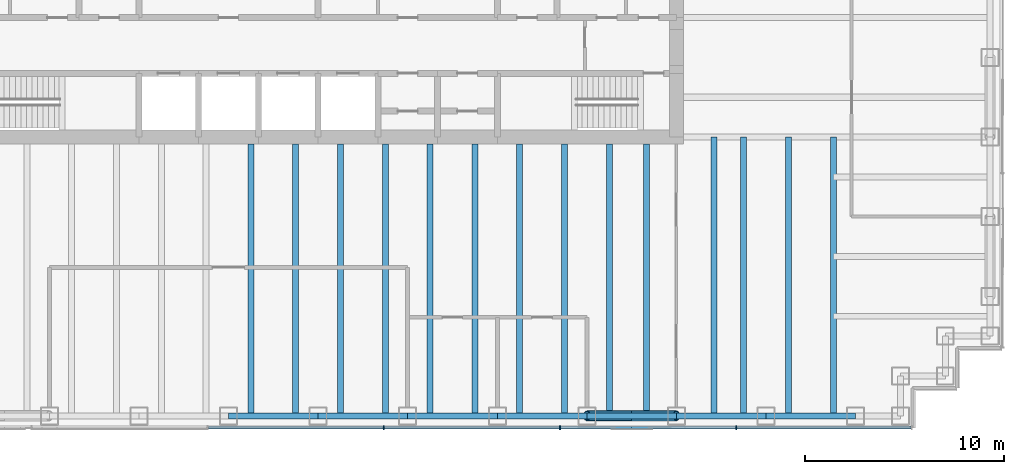
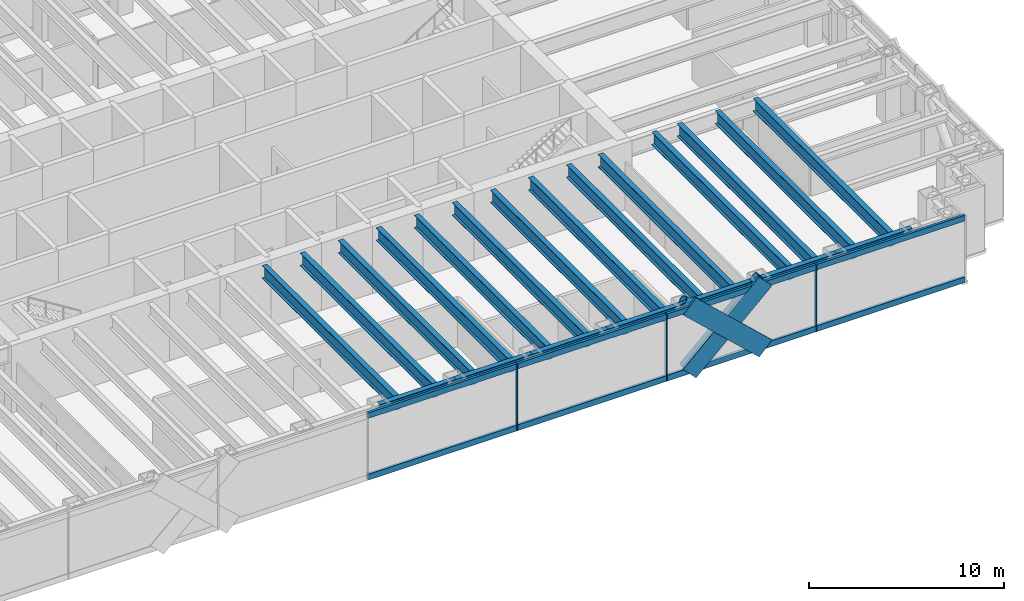
# One storey, part 4 of 17: 21 beams, 15 members, 1 element without a shape of its own.
"""IFC4 building model written with IfcOpenShell, lengths in metres."""

from ifc_helpers import new_model, si_unit, direction, frame, origin, origin_2d, place, context, subcontext, project, spatial, rectangle, hollow_circle, i_section, extrude, material, material_profile, profile_set, type_object, element, aggregate, save


model = new_model("IFC4")

# Units and contexts
model_context = context("Model", 3, precision=1e-05, world=origin(), true_north=direction((0.0, 1.0)))
body_context = subcontext(model_context, "Body", "Model", "MODEL_VIEW")
ifc_project = project(units=[si_unit("LENGTHUNIT", "METRE"), si_unit("AREAUNIT", "SQUARE_METRE"), si_unit("VOLUMEUNIT", "CUBIC_METRE"), si_unit("PLANEANGLEUNIT", "RADIAN"), si_unit("MASSUNIT", "GRAM", prefix="KILO")], contexts=[model_context])

# Site, building, storey
site_placement = place(None, origin())
site = spatial("IfcSite", under=ifc_project, at=site_placement, CompositionType="ELEMENT")
building_placement = place(site_placement, origin())
building = spatial("IfcBuilding", under=site, at=building_placement, Name="Rheinbord Bourse Tower", CompositionType="ELEMENT")
storey_placement = place(building_placement, frame((0.0, 0.0, 317.300048828125)))
storey = spatial("IfcBuildingStorey", under=building, at=storey_placement, Name="L72", CompositionType="ELEMENT", Elevation=317.300048828125)

# Curtain wall, members
ifc_material_1 = material(Name="Dark glass and black aluminium", Category="aluminium")
curtain_wall_type = type_object("IfcCurtainWallType", Name="CW3 DARK GLASS CURTAIN WALL", PredefinedType="USERDEFINED", material=ifc_material_1)
curtain_wall_placement = place(storey_placement, origin())
curtain_wall = element("IfcCurtainWall", 1, at=curtain_wall_placement, inside=storey, type_object=curtain_wall_type, Name="Curtain wall CW3 S L72", ObjectType="UNITISED CURTAIN WALL", PredefinedType="USERDEFINED")
ifc_material_2 = material(Name="Black anodised aluminium", Category="aluminium")
ifc_material_profile_1 = material_profile(ifc_material_2, rectangle(XDim=0.14990234375, YDim=1.10791015625, at=origin_2d()), Name="CW3 DIAGONAL MULLION 1108x150")
ifc_profile_set_1 = profile_set([ifc_material_profile_1], Name="Black anodised aluminium")
member_type_1 = type_object("IfcMemberType", Name="CW3 BLACK DIAGONAL MULLION", PredefinedType="USERDEFINED", material=ifc_profile_set_1)
member_1_placement = place(storey_placement, frame((54.0, 1.39990234375, 0.0), z_axis=(-0.73105922506, 0.0, 0.682314010889), x_axis=(0.0, -1.0, 0.0)))
member_1 = element("IfcMember", 2, at=member_1_placement, type_object=member_type_1, Name="CW3 diagonal mullion a", ObjectType="DIAGONAL MULLION", PredefinedType="USERDEFINED", context=body_context, shape_type="SweptSolid", body=[
    extrude(rectangle(XDim=0.14990234375, YDim=1.10791015625, at=origin_2d()), origin(), (0.0, 0.0, 1.0), 6.155517578125),
])
member_2_placement = place(storey_placement, frame((49.5, 1.39990234375, 0.0), z_axis=(0.73105922506, 0.0, 0.682314010889), x_axis=(0.0, 1.0, 0.0)))
member_2 = element("IfcMember", 3, at=member_2_placement, type_object=member_type_1, Name="CW3 diagonal mullion d", ObjectType="DIAGONAL MULLION", PredefinedType="USERDEFINED", context=body_context, shape_type="SweptSolid", body=[
    extrude(rectangle(XDim=0.14990234375, YDim=1.10791015625, at=origin_2d()), origin(), (0.0, 0.0, 1.0), 6.155517578125),
])
ifc_material_3 = material(Name="Black anodised aluminium", Category="aluminium")
ifc_material_profile_2 = material_profile(ifc_material_3, rectangle(XDim=0.199951171875, YDim=0.06494140625, at=origin_2d()), Name="CW3 MULLION 65x200")
ifc_profile_set_2 = profile_set([ifc_material_profile_2], Name="Black anodised aluminium")
member_type_2 = type_object("IfcMemberType", Name="CW3 BLACK MULLION", PredefinedType="MULLION", material=ifc_profile_set_2)
member_3_placement = place(storey_placement, frame((39.300048828125, 1.39990234375, 0.0), z_axis=(0.0, 0.0, 1.0), x_axis=(0.0, 1.0, 0.0)))
member_3 = element("IfcMember", 4, at=member_3_placement, type_object=member_type_2, Name="CW3 mullion 5", PredefinedType="MULLION", context=body_context, shape_type="SweptSolid", body=[
    extrude(rectangle(XDim=0.199951171875, YDim=0.06494140625, at=origin_2d()), origin(), (0.0, 0.0, 1.0), 4.199951171875),
])
member_4_placement = place(storey_placement, frame((48.14990234375, 1.39990234375, 0.0), z_axis=(0.0, 0.0, 1.0), x_axis=(0.0, 1.0, 0.0)))
member_4 = element("IfcMember", 5, at=member_4_placement, type_object=member_type_2, Name="CW3 mullion 6", PredefinedType="MULLION", context=body_context, shape_type="SweptSolid", body=[
    extrude(rectangle(XDim=0.199951171875, YDim=0.06494140625, at=origin_2d()), origin(), (0.0, 0.0, 1.0), 4.199951171875),
])
member_5_placement = place(storey_placement, frame((57.0, 1.39990234375, 0.0), z_axis=(0.0, 0.0, 1.0), x_axis=(0.0, 1.0, 0.0)))
member_5 = element("IfcMember", 6, at=member_5_placement, type_object=member_type_2, Name="CW3 mullion 7", PredefinedType="MULLION", context=body_context, shape_type="SweptSolid", body=[
    extrude(rectangle(XDim=0.199951171875, YDim=0.06494140625, at=origin_2d()), origin(), (0.0, 0.0, 1.0), 4.199951171875),
])
ifc_material_4 = material(Name="Black anodised aluminium", Category="aluminium")
ifc_material_profile_3 = material_profile(ifc_material_4, rectangle(XDim=0.14990234375, YDim=0.35009765625, at=origin_2d()), Name="CW3 TRANSOM 350x150")
ifc_profile_set_3 = profile_set([ifc_material_profile_3], Name="Black anodised aluminium")
member_type_3 = type_object("IfcMemberType", Name="CW3 BLACK TRANSOM", PredefinedType="USERDEFINED", material=ifc_profile_set_3)
member_6_placement = place(storey_placement, frame((30.482421875, 1.39990234375, 0.175048828125), z_axis=(1.0, 0.0, 0.0), x_axis=(0.0, 1.0, 0.0)))
member_6 = element("IfcMember", 7, at=member_6_placement, type_object=member_type_3, Name="CW3 transom 4.1", ObjectType="TRANSOM", PredefinedType="USERDEFINED", context=body_context, shape_type="SweptSolid", body=[
    extrude(rectangle(XDim=0.14990234375, YDim=0.35009765625, at=origin_2d()), origin(), (0.0, 0.0, 1.0), 8.78515625),
])
member_7_placement = place(storey_placement, frame((30.482421875, 1.39990234375, 4.02490234375), z_axis=(1.0, 0.0, 0.0), x_axis=(0.0, 1.0, 0.0)))
member_7 = element("IfcMember", 8, at=member_7_placement, type_object=member_type_3, Name="CW3 transom 4.2", ObjectType="TRANSOM", PredefinedType="USERDEFINED", context=body_context, shape_type="SweptSolid", body=[
    extrude(rectangle(XDim=0.14990234375, YDim=0.35009765625, at=origin_2d()), origin(), (0.0, 0.0, 1.0), 8.78515625),
])
member_8_placement = place(storey_placement, frame((39.33251953125, 1.39990234375, 0.175048828125), z_axis=(1.0, 0.0, 0.0), x_axis=(0.0, 1.0, 0.0)))
member_8 = element("IfcMember", 9, at=member_8_placement, type_object=member_type_3, Name="CW3 transom 5.1", ObjectType="TRANSOM", PredefinedType="USERDEFINED", context=body_context, shape_type="SweptSolid", body=[
    extrude(rectangle(XDim=0.14990234375, YDim=0.35009765625, at=origin_2d()), origin(), (0.0, 0.0, 1.0), 8.784912109375),
])
member_9_placement = place(storey_placement, frame((39.33251953125, 1.39990234375, 4.02490234375), z_axis=(1.0, 0.0, 0.0), x_axis=(0.0, 1.0, 0.0)))
member_9 = element("IfcMember", 10, at=member_9_placement, type_object=member_type_3, Name="CW3 transom 5.2", ObjectType="TRANSOM", PredefinedType="USERDEFINED", context=body_context, shape_type="SweptSolid", body=[
    extrude(rectangle(XDim=0.14990234375, YDim=0.35009765625, at=origin_2d()), origin(), (0.0, 0.0, 1.0), 8.784912109375),
])
member_10_placement = place(storey_placement, frame((48.1826171875, 1.39990234375, 0.175048828125), z_axis=(1.0, 0.0, 0.0), x_axis=(0.0, 1.0, 0.0)))
member_10 = element("IfcMember", 11, at=member_10_placement, type_object=member_type_3, Name="CW3 transom 6.1", ObjectType="TRANSOM", PredefinedType="USERDEFINED", context=body_context, shape_type="SweptSolid", body=[
    extrude(rectangle(XDim=0.14990234375, YDim=0.35009765625, at=origin_2d()), origin(), (0.0, 0.0, 1.0), 8.784912109375),
])
member_11_placement = place(storey_placement, frame((48.1826171875, 1.39990234375, 4.02490234375), z_axis=(1.0, 0.0, 0.0), x_axis=(0.0, 1.0, 0.0)))
member_11 = element("IfcMember", 12, at=member_11_placement, type_object=member_type_3, Name="CW3 transom 6.2", ObjectType="TRANSOM", PredefinedType="USERDEFINED", context=body_context, shape_type="SweptSolid", body=[
    extrude(rectangle(XDim=0.14990234375, YDim=0.35009765625, at=origin_2d()), origin(), (0.0, 0.0, 1.0), 8.784912109375),
])
member_12_placement = place(storey_placement, frame((57.032470703125, 1.39990234375, 0.175048828125), z_axis=(1.0, 0.0, 0.0), x_axis=(0.0, 1.0, 0.0)))
member_12 = element("IfcMember", 13, at=member_12_placement, type_object=member_type_3, Name="CW3 transom 7.1", ObjectType="TRANSOM", PredefinedType="USERDEFINED", context=body_context, shape_type="SweptSolid", body=[
    extrude(rectangle(XDim=0.14990234375, YDim=0.35009765625, at=origin_2d()), origin(), (0.0, 0.0, 1.0), 8.75244140625),
])
member_13_placement = place(storey_placement, frame((57.032470703125, 1.39990234375, 4.02490234375), z_axis=(1.0, 0.0, 0.0), x_axis=(0.0, 1.0, 0.0)))
member_13 = element("IfcMember", 14, at=member_13_placement, type_object=member_type_3, Name="CW3 transom 7.2", ObjectType="TRANSOM", PredefinedType="USERDEFINED", context=body_context, shape_type="SweptSolid", body=[
    extrude(rectangle(XDim=0.14990234375, YDim=0.35009765625, at=origin_2d()), origin(), (0.0, 0.0, 1.0), 8.75244140625),
])
aggregate(curtain_wall, [member_3, member_4, member_5, member_6, member_7, member_8, member_9, member_10, member_11, member_12, member_13, member_1, member_2])

# Beams
ifc_material_5 = material(Name="Steel S460", Category="steel")
ifc_material_profile_4 = material_profile(ifc_material_5, i_section(OverallWidth=0.300048828125, OverallDepth=0.800048828125, WebThickness=0.017578125, FlangeThickness=0.032958984375, at=origin_2d()), Name="HEB 800")
ifc_profile_set_4 = profile_set([ifc_material_profile_4], Name="Steel S460")
beam_type_1 = type_object("IfcBeamType", Name="FLOOR BEAM HEB 800", PredefinedType="BEAM", material=ifc_profile_set_4)
for number, where, z_axis, x_axis, name in (
    (15, (32.625, 2.0, 3.639892578125), (0.0, 1.0, 0.0), (-1.0, 0.0, 0.0), "Floor beam S-31.5a L73"),
    (16, (34.875, 2.0, 3.639892578125), (0.0, 1.0, 0.0), (-1.0, 0.0, 0.0), "Floor beam S-31.5b L73"),
    (17, (37.125, 2.0, 3.639892578125), (0.0, 1.0, 0.0), (-1.0, 0.0, 0.0), "Floor beam S-36a L73"),
    (18, (39.375, 2.0, 3.639892578125), (0.0, 1.0, 0.0), (-1.0, 0.0, 0.0), "Floor beam S-36b L73"),
    (19, (41.625, 2.0, 3.639892578125), (0.0, 1.0, 0.0), (-1.0, 0.0, 0.0), "Floor beam S-40.5a L73"),
    (20, (43.875, 2.0, 3.639892578125), (0.0, 1.0, 0.0), (-1.0, 0.0, 0.0), "Floor beam S-40.5b L73"),
    (21, (46.125, 2.0, 3.639892578125), (0.0, 1.0, 0.0), (-1.0, 0.0, 0.0), "Floor beam S-45a L73"),
    (22, (48.375, 2.0, 3.639892578125), (0.0, 1.0, 0.0), (-1.0, 0.0, 0.0), "Floor beam S-45b L73"),
    (23, (50.625, 2.0, 3.639892578125), (0.0, 1.0, 0.0), (-1.0, 0.0, 0.0), "Floor beam S-49.5a L73"),
    (24, (52.5, 2.0, 3.639892578125), (0.0, 1.0, 0.0), (-1.0, 0.0, 0.0), "Floor beam S-49.5b L73"),
):
    element("IfcBeam", number, at=place(storey_placement, frame(where, z_axis=z_axis, x_axis=x_axis)), inside=storey, type_object=beam_type_1, Name=name, PredefinedType="BEAM", context=body_context, shape_type="SweptSolid", body=[
        extrude(i_section(OverallWidth=0.300048828125, OverallDepth=0.800048828125, WebThickness=0.017578125, FlangeThickness=0.032958984375, at=origin_2d()), origin(), (0.0, 0.0, 1.0), 13.64990234375),
    ])
for number, where, z_axis, x_axis, name in (
    (25, (55.875, 2.0, 3.639892578125), (0.0, 1.0, 0.0), (-1.0, 0.0, 0.0), "Floor beam S-54a L73"),
    (26, (57.375, 2.0, 3.639892578125), (0.0, 1.0, 0.0), (-1.0, 0.0, 0.0), "Floor beam S-54b L73"),
    (27, (59.625, 2.0, 3.639892578125), (0.0, 1.0, 0.0), (-1.0, 0.0, 0.0), "Floor beam S-58.5a L73"),
    (28, (61.875, 2.0, 3.639892578125), (0.0, 1.0, 0.0), (-1.0, 0.0, 0.0), "Floor beam S-58.5b L73"),
):
    element("IfcBeam", number, at=place(storey_placement, frame(where, z_axis=z_axis, x_axis=x_axis)), inside=storey, type_object=beam_type_1, Name=name, PredefinedType="BEAM", context=body_context, shape_type="SweptSolid", body=[
        extrude(i_section(OverallWidth=0.300048828125, OverallDepth=0.800048828125, WebThickness=0.017578125, FlangeThickness=0.032958984375, at=origin_2d()), origin(), (0.0, 0.0, 1.0), 14.0),
    ])

# Members
ifc_material_6 = material(Name="Steel S460", Category="steel")
ifc_material_profile_5 = material_profile(ifc_material_6, hollow_circle(Radius=0.25390625, WallThickness=0.030029296875, at=origin_2d()), Name="CHS 508x30")
ifc_profile_set_5 = profile_set([ifc_material_profile_5], Name="Steel S460")
member_type_4 = type_object("IfcMemberType", Name="MEGABRACE CHS 508x30", PredefinedType="BRACE", material=ifc_profile_set_5)
for number, where, z_axis, x_axis, name in (
    (29, (54.0, 2.0, 0.0), (-0.73105922506, 0.0, 0.682314010889), (0.0, -1.0, 0.0), "Megabrace S face line a L72"),
    (30, (49.5, 2.0, 0.0), (0.73105922506, 0.0, 0.682314010889), (0.0, 1.0, 0.0), "Megabrace S face line d L72"),
):
    element("IfcMember", number, at=place(storey_placement, frame(where, z_axis=z_axis, x_axis=x_axis)), inside=storey, type_object=member_type_4, Name=name, PredefinedType="BRACE", context=body_context, shape_type="SweptSolid", body=[
        extrude(hollow_circle(Radius=0.25390625, WallThickness=0.030029296875, at=origin_2d()), origin(), (0.0, 0.0, 1.0), 6.155517578125),
    ])

# Beams
ifc_material_7 = material(Name="Steel S460", Category="steel")
ifc_material_profile_6 = material_profile(ifc_material_7, i_section(OverallWidth=0.300048828125, OverallDepth=0.550048828125, WebThickness=0.014892578125, FlangeThickness=0.029052734375, at=origin_2d()), Name="HEB 550")
ifc_profile_set_6 = profile_set([ifc_material_profile_6], Name="Steel S460")
beam_type_2 = type_object("IfcBeamType", Name="SPANDREL HEB 550", PredefinedType="SPANDREL", material=ifc_profile_set_6)
for number, where, z_axis, x_axis, name in (
    (31, (31.5, 2.0, 3.764892578125), (1.0, 0.0, 0.0), (0.0, 1.0, 0.0), "Spandrel S-31.5-S-36 under L73"),
    (32, (36.0, 2.0, 3.764892578125), (1.0, 0.0, 0.0), (0.0, 1.0, 0.0), "Spandrel S-36-S-40.5 under L73"),
    (33, (40.5, 2.0, 3.764892578125), (1.0, 0.0, 0.0), (0.0, 1.0, 0.0), "Spandrel S-40.5-S-45 under L73"),
    (34, (45.0, 2.0, 3.764892578125), (1.0, 0.0, 0.0), (0.0, 1.0, 0.0), "Spandrel S-45-S-49.5 under L73"),
    (35, (49.5, 2.0, 3.764892578125), (1.0, 0.0, 0.0), (0.0, 1.0, 0.0), "Spandrel S-49.5-S-54 under L73"),
    (36, (54.0, 2.0, 3.764892578125), (1.0, 0.0, 0.0), (0.0, 1.0, 0.0), "Spandrel S-54-S-58.5 under L73"),
    (37, (58.5, 2.0, 3.764892578125), (1.0, 0.0, 0.0), (0.0, 1.0, 0.0), "Spandrel S-58.5-S-63 under L73"),
):
    element("IfcBeam", number, at=place(storey_placement, frame(where, z_axis=z_axis, x_axis=x_axis)), inside=storey, type_object=beam_type_2, Name=name, PredefinedType="SPANDREL", context=body_context, shape_type="SweptSolid", body=[
        extrude(i_section(OverallWidth=0.300048828125, OverallDepth=0.550048828125, WebThickness=0.014892578125, FlangeThickness=0.029052734375, at=origin_2d()), origin(), (0.0, 0.0, 1.0), 4.5),
    ])

save(model, "model.ifc")
